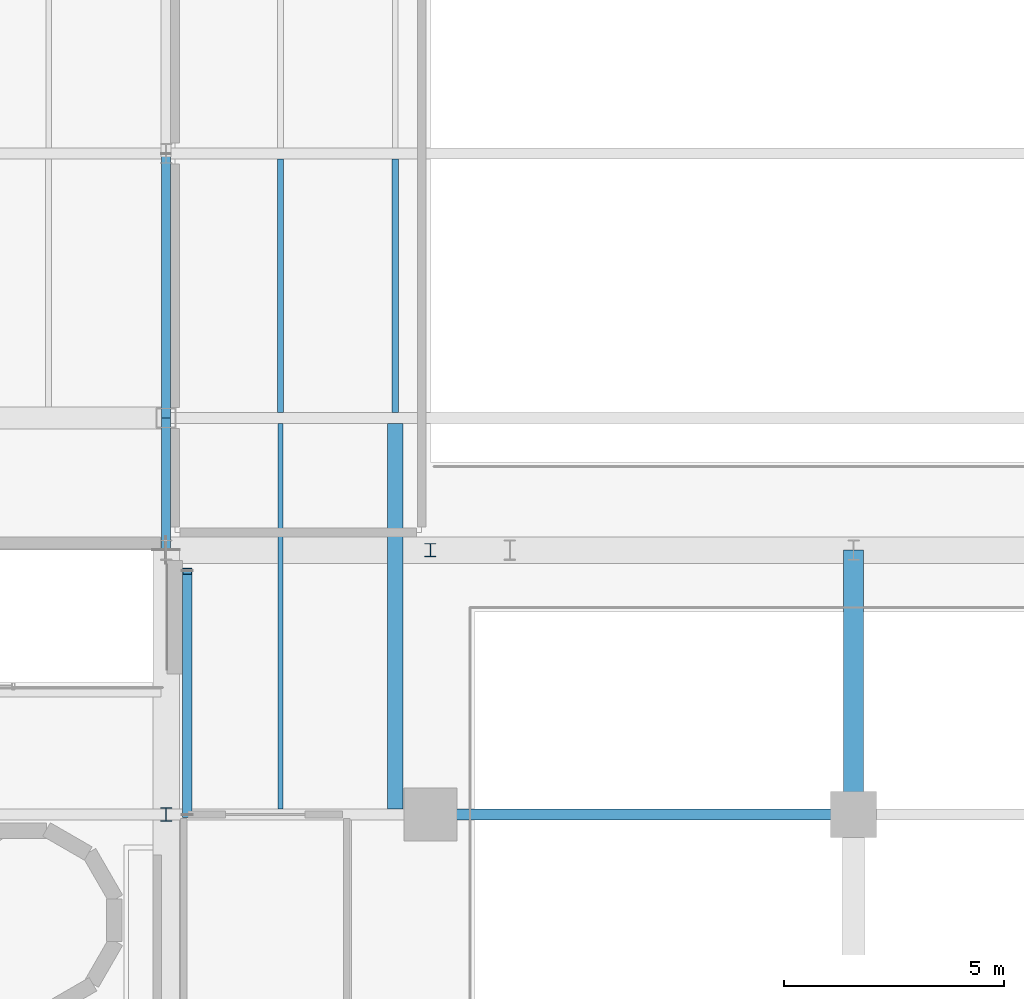
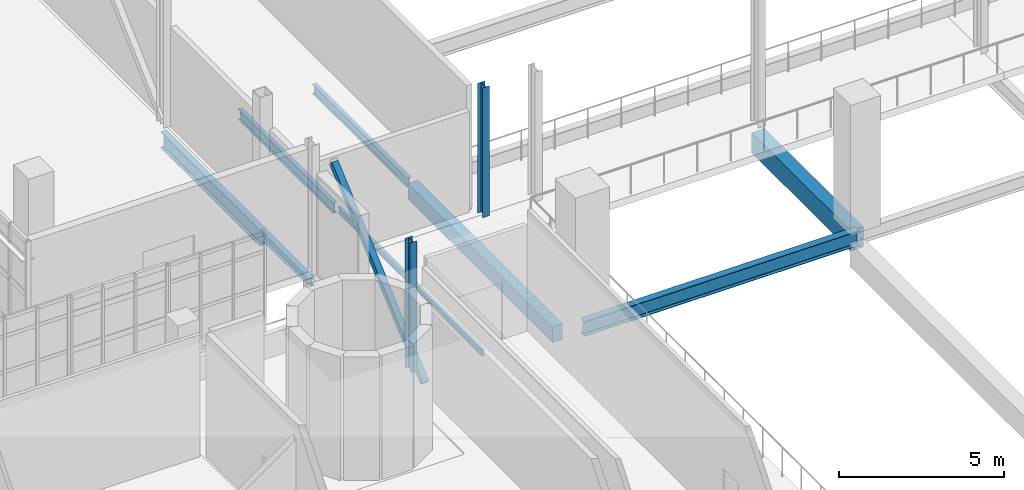
# One storey, part 31 of 102: 8 beams, 3 members.
"""IFC4 building model written with IfcOpenShell, lengths in metres."""

from ifc_helpers import new_model, si_unit, derived_unit, direction, frame, origin, origin_2d, place, context, subcontext, project, spatial, rectangle, hollow_rectangle, i_section, extrude, material, material_profile, profile_set, type_object, element, save


model = new_model("IFC4")

# Units and contexts
model_context = context("Model", 3, precision=1e-05, world=origin(), true_north=direction((0.0, 1.0)))
body_context = subcontext(model_context, "Body", "Model", "MODEL_VIEW")
ifc_project = project(units=[si_unit("LENGTHUNIT", "METRE"), si_unit("AREAUNIT", "SQUARE_METRE"), si_unit("VOLUMEUNIT", "CUBIC_METRE"), si_unit("PLANEANGLEUNIT", "RADIAN"), si_unit("MASSUNIT", "GRAM", prefix="KILO"), derived_unit("THERMALTRANSMITTANCEUNIT", [(si_unit("POWERUNIT", "WATT"), 1), (si_unit("LENGTHUNIT", "METRE"), -2), (si_unit("THERMODYNAMICTEMPERATUREUNIT", "KELVIN"), -1)])], contexts=[model_context])

# Site, building, storey
site_placement = place(None, origin())
site = spatial("IfcSite", under=ifc_project, at=site_placement, CompositionType="ELEMENT")
building_placement = place(site_placement, origin())
building = spatial("IfcBuilding", under=site, at=building_placement, Name="Nallur Shell Playhouse", CompositionType="ELEMENT")
storey_placement = place(building_placement, frame((0.0, 0.0, 15.0)))
storey = spatial("IfcBuildingStorey", under=building, at=storey_placement, Name="L04", CompositionType="ELEMENT", Elevation=15.0)

# Beams
ifc_material_1 = material(Name="Steel E250", Category="steel")
ifc_material_profile_1 = material_profile(ifc_material_1, i_section(OverallWidth=0.110107421875, OverallDepth=0.22509765625, WebThickness=0.006591796875, FlangeThickness=0.01171875, FilletRadius=0.011962890625, at=origin_2d()), Name="ISMB 225")
ifc_profile_set_1 = profile_set([ifc_material_profile_1], Name="Steel E250")
beam_type_1 = type_object("IfcBeamType", Name="BM-JST-ISMB225", PredefinedType="JOIST", material=ifc_profile_set_1)
beam_1_placement = place(storey_placement, frame((66.60009765625, 41.123046875, -0.37255859375), z_axis=(0.0, 1.0, 0.0), x_axis=(-1.0, 0.0, 0.0)))
element("IfcBeam", 1, at=beam_1_placement, inside=storey, type_object=beam_type_1, Name="L04 secondary joist 8-E-911", PredefinedType="JOIST", context=body_context, shape_type="SweptSolid", body=[
    extrude(i_section(OverallWidth=0.110107421875, OverallDepth=0.22509765625, WebThickness=0.006591796875, FlangeThickness=0.01171875, FilletRadius=0.011962890625, at=origin_2d()), origin(), (0.0, 0.0, 1.0), 8.75390625),
])
ifc_material_profile_2 = material_profile(ifc_material_1, i_section(OverallWidth=0.139892578125, OverallDepth=0.35009765625, WebThickness=0.008056640625, FlangeThickness=0.01416015625, FilletRadius=0.013916015625, at=origin_2d()), Name="ISMB 350")
ifc_profile_set_2 = profile_set([ifc_material_profile_2], Name="Steel E250")
beam_type_2 = type_object("IfcBeamType", Name="BM-JST-ISMB350", PredefinedType="JOIST", material=ifc_profile_set_2)
beam_2_placement = place(storey_placement, frame((69.199951171875, 50.123046875, -0.43505859375), z_axis=(0.0, 1.0, 0.0), x_axis=(-1.0, 0.0, 0.0)))
element("IfcBeam", 2, at=beam_2_placement, inside=storey, type_object=beam_type_2, Name="L04 secondary joist 8-F-914", PredefinedType="JOIST", context=body_context, shape_type="SweptSolid", body=[
    extrude(i_section(OverallWidth=0.139892578125, OverallDepth=0.35009765625, WebThickness=0.008056640625, FlangeThickness=0.01416015625, FilletRadius=0.013916015625, at=origin_2d()), origin(), (0.0, 0.0, 1.0), 5.75390625),
])
ifc_material_profile_3 = material_profile(ifc_material_1, i_section(OverallWidth=0.139892578125, OverallDepth=0.39990234375, WebThickness=0.0087890625, FlangeThickness=0.01611328125, FilletRadius=0.013916015625, at=origin_2d()), Name="ISMB 400")
ifc_profile_set_3 = profile_set([ifc_material_profile_3], Name="Steel E250")
beam_type_3 = type_object("IfcBeamType", Name="BM-JST-ISMB400", PredefinedType="JOIST", material=ifc_profile_set_3)
beam_3_placement = place(storey_placement, frame((66.60009765625, 50.123046875, -0.4599609375), z_axis=(0.0, 1.0, 0.0), x_axis=(-1.0, 0.0, 0.0)))
element("IfcBeam", 3, at=beam_3_placement, inside=storey, type_object=beam_type_3, Name="L04 secondary joist 8-F-913", PredefinedType="JOIST", context=body_context, shape_type="SweptSolid", body=[
    extrude(i_section(OverallWidth=0.139892578125, OverallDepth=0.39990234375, WebThickness=0.0087890625, FlangeThickness=0.01611328125, FilletRadius=0.013916015625, at=origin_2d()), origin(), (0.0, 0.0, 1.0), 5.75390625),
])
ifc_material_2 = material(Name="Concrete M30", Category="concrete")
ifc_material_profile_4 = material_profile(ifc_material_2, rectangle(XDim=0.35009765625, YDim=0.60009765625, at=origin_2d()), Name="RC 350x600")
ifc_profile_set_4 = profile_set([ifc_material_profile_4], Name="Concrete M30")
beam_type_4 = type_object("IfcBeamType", Name="BM-RC-350x600", PredefinedType="JOIST", material=ifc_profile_set_4)
beam_4_placement = place(storey_placement, frame((69.199951171875, 41.123046875, -0.56005859375), z_axis=(0.0, 1.0, 0.0), x_axis=(-1.0, 0.0, 0.0)))
element("IfcBeam", 4, at=beam_4_placement, inside=storey, type_object=beam_type_4, Name="L04 secondary joist 8-E-912", PredefinedType="JOIST", context=body_context, shape_type="SweptSolid", body=[
    extrude(rectangle(XDim=0.35009765625, YDim=0.60009765625, at=origin_2d()), origin(), (0.0, 0.0, 1.0), 8.75390625),
])
ifc_material_3 = material(Name="Concrete M35", Category="concrete")
ifc_material_profile_5 = material_profile(ifc_material_3, rectangle(XDim=0.449951171875, YDim=0.75, at=origin_2d()), Name="RC 450x750")
ifc_profile_set_5 = profile_set([ifc_material_profile_5], Name="Concrete M35")
beam_type_5 = type_object("IfcBeamType", Name="BM-RC-450x750", PredefinedType="BEAM", material=ifc_profile_set_5)
beam_5_placement = place(storey_placement, frame((79.60009765625, 41.0, -0.635009765625), z_axis=(0.0, 1.0, 0.0), x_axis=(-1.0, 0.0, 0.0)))
element("IfcBeam", 5, at=beam_5_placement, inside=storey, type_object=beam_type_5, Name="L04 girder Y-10-846", PredefinedType="BEAM", context=body_context, shape_type="SweptSolid", body=[
    extrude(rectangle(XDim=0.449951171875, YDim=0.75, at=origin_2d()), origin(), (0.0, 0.0, 1.0), 6.0),
])
ifc_material_4 = material(Name="Steel E350", Category="steel")
ifc_material_profile_6 = material_profile(ifc_material_4, i_section(OverallWidth=0.2099609375, OverallDepth=0.60009765625, WebThickness=0.011962890625, FlangeThickness=0.020751953125, FilletRadius=0.02001953125, at=origin_2d()), Name="ISMB 600")
ifc_profile_set_6 = profile_set([ifc_material_profile_6], Name="Steel E350")
beam_type_6 = type_object("IfcBeamType", Name="BM-ST-ISMB600", PredefinedType="BEAM", material=ifc_profile_set_6)
beam_6_placement = place(storey_placement, frame((64.0, 50.0, -0.56005859375), z_axis=(0.0, 1.0, 0.0), x_axis=(-1.0, 0.0, 0.0)))
element("IfcBeam", 6, at=beam_6_placement, inside=storey, type_object=beam_type_6, Name="L04 girder Y-8-840", PredefinedType="BEAM", context=body_context, shape_type="SweptSolid", body=[
    extrude(i_section(OverallWidth=0.2099609375, OverallDepth=0.60009765625, WebThickness=0.011962890625, FlangeThickness=0.020751953125, FilletRadius=0.02001953125, at=origin_2d()), origin(), (0.0, 0.0, 1.0), 6.0),
])
ifc_material_profile_7 = material_profile(ifc_material_1, i_section(OverallWidth=0.199951171875, OverallDepth=0.300048828125, WebThickness=0.00732421875, FlangeThickness=0.010009765625, FilletRadius=0.010986328125, at=origin_2d()), Name="ISWB 300")
ifc_profile_set_7 = profile_set([ifc_material_profile_7], Name="Steel E250")
beam_type_7 = type_object("IfcBeamType", Name="BM-ST-ISWB300", PredefinedType="BEAM", material=ifc_profile_set_7)
beam_7_placement = place(storey_placement, frame((64.0, 47.0, -0.409912109375), z_axis=(0.0, 1.0, 0.0), x_axis=(-1.0, 0.0, 0.0)))
element("IfcBeam", 7, at=beam_7_placement, inside=storey, type_object=beam_type_7, Name="L04 girder Y-8-839", PredefinedType="BEAM", context=body_context, shape_type="SweptSolid", body=[
    extrude(i_section(OverallWidth=0.199951171875, OverallDepth=0.300048828125, WebThickness=0.00732421875, FlangeThickness=0.010009765625, FilletRadius=0.010986328125, at=origin_2d()), origin(), (0.0, 0.0, 1.0), 3.0),
])
ifc_material_profile_8 = material_profile(ifc_material_4, i_section(OverallWidth=0.25, OverallDepth=0.550048828125, WebThickness=0.010498046875, FlangeThickness=0.017578125, FilletRadius=0.01611328125, at=origin_2d()), Name="ISWB 550")
ifc_profile_set_8 = profile_set([ifc_material_profile_8], Name="Steel E350")
beam_type_8 = type_object("IfcBeamType", Name="BM-ST-ISWB550", PredefinedType="BEAM", material=ifc_profile_set_8)
beam_8_placement = place(storey_placement, frame((70.0, 41.0, -0.534912109375), z_axis=(1.0, 0.0, 0.0), x_axis=(0.0, 1.0, 0.0)))
element("IfcBeam", 8, at=beam_8_placement, inside=storey, type_object=beam_type_8, Name="L04 girder X-E-770", PredefinedType="BEAM", context=body_context, shape_type="SweptSolid", body=[
    extrude(i_section(OverallWidth=0.25, OverallDepth=0.550048828125, WebThickness=0.010498046875, FlangeThickness=0.017578125, FilletRadius=0.01611328125, at=origin_2d()), origin(), (0.0, 0.0, 1.0), 9.60009765625),
])

# Members
ifc_material_profile_9 = material_profile(ifc_material_4, i_section(OverallWidth=0.25, OverallDepth=0.300048828125, WebThickness=0.009521484375, FlangeThickness=0.010498046875, FilletRadius=0.010986328125, at=origin_2d()), Name="ISHB 300")
ifc_profile_set_9 = profile_set([ifc_material_profile_9], Name="Steel E350")
member_type_1 = type_object("IfcMemberType", Name="MB-FASCIA-POST", PredefinedType="POST", material=ifc_profile_set_9)
for number, where, z_axis, x_axis, name in (
    (9, (70.0, 47.0, 0.0), (0.0, 0.0, 1.0), (1.0, 0.0, 0.0), "Cantilever truss fascia post POST-GB-L04-09"),
    (10, (64.0, 41.0, 0.0), (0.0, 0.0, 1.0), (1.0, 0.0, 0.0), "Cantilever truss fascia post POST-GB-L04-13"),
):
    element("IfcMember", number, at=place(storey_placement, frame(where, z_axis=z_axis, x_axis=x_axis)), inside=storey, type_object=member_type_1, Name=name, PredefinedType="POST", context=body_context, shape_type="SweptSolid", body=[
        extrude(i_section(OverallWidth=0.25, OverallDepth=0.300048828125, WebThickness=0.009521484375, FlangeThickness=0.010498046875, FilletRadius=0.010986328125, at=origin_2d()), origin(), (0.0, 0.0, 1.0), 4.800048828125),
    ])
ifc_material_profile_10 = material_profile(ifc_material_4, hollow_rectangle(XDim=0.219970703125, YDim=0.219970703125, WallThickness=0.011962890625, at=origin_2d()), Name="SHS 220x220x12")
ifc_profile_set_10 = profile_set([ifc_material_profile_10], Name="Steel E350")
member_type_2 = type_object("IfcMemberType", Name="MB-FT-BRACE2", PredefinedType="BRACE", material=ifc_profile_set_10)
member_placement = place(storey_placement, frame((64.47998046875, 41.0, -0.659912109375), z_axis=(0.0, 0.753942534028, 0.656940374298), x_axis=(-1.0, 0.0, 0.0)))
element("IfcMember", 11, at=member_placement, inside=storey, type_object=member_type_2, Name="Gold box fascia brace L04-2", PredefinedType="BRACE", context=body_context, shape_type="SweptSolid", body=[
    extrude(hollow_rectangle(XDim=0.219970703125, YDim=0.219970703125, WallThickness=0.011962890625, at=origin_2d()), origin(), (0.0, 0.0, 1.0), 7.321533203125),
])

save(model, "model.ifc")
